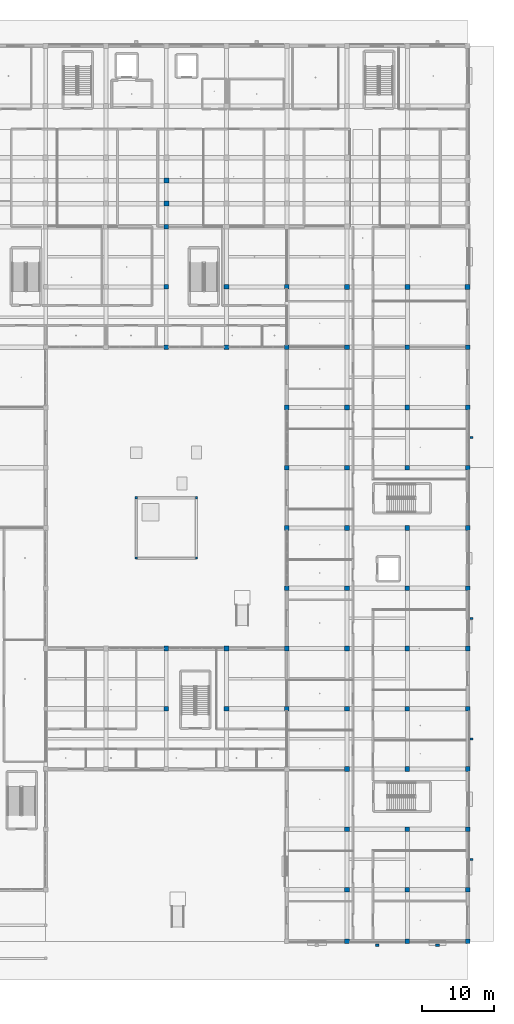
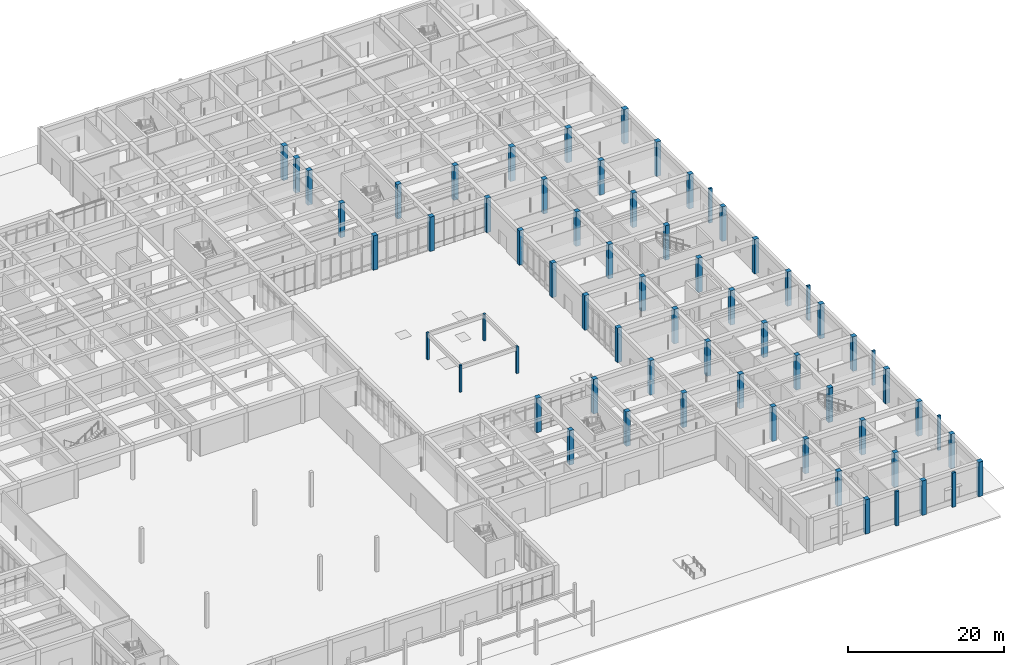
# One storey, part 5 of 167: 65 columns.
"""IFC4 building model written with IfcOpenShell, lengths in metres."""

from ifc_helpers import new_model, si_unit, direction, frame, origin, origin_2d, place, context, subcontext, project, spatial, rectangle, extrude, material, material_profile, profile_set, type_object, element, save


model = new_model("IFC4")

# Units and contexts
model_context = context("Model", 3, precision=1e-05, world=origin(), true_north=direction((0.0, 1.0)))
body_context = subcontext(model_context, "Body", "Model", "MODEL_VIEW")
ifc_project = project(units=[si_unit("LENGTHUNIT", "METRE"), si_unit("AREAUNIT", "SQUARE_METRE"), si_unit("VOLUMEUNIT", "CUBIC_METRE"), si_unit("PLANEANGLEUNIT", "RADIAN"), si_unit("MASSUNIT", "GRAM", prefix="KILO")], contexts=[model_context])

# Site, building, storey
site_placement = place(None, origin())
site = spatial("IfcSite", under=ifc_project, at=site_placement, CompositionType="ELEMENT")
building_placement = place(site_placement, origin())
building = spatial("IfcBuilding", under=site, at=building_placement, Name="Varncliffe General Hospital", CompositionType="ELEMENT")
storey_placement = place(building_placement, origin())
storey = spatial("IfcBuildingStorey", under=building, at=storey_placement, Name="L00", CompositionType="ELEMENT", Elevation=0.0)

# Columns
ifc_material_1 = material(Name="Concrete C40/50 (CSA A23.1 40 MPa)", Category="concrete")
ifc_material_profile_1 = material_profile(ifc_material_1, rectangle(XDim=0.64990234375, YDim=0.64990234375, at=origin_2d()), Name="RC 650x650")
ifc_profile_set_1 = profile_set([ifc_material_profile_1], Name="Concrete C40/50 (CSA A23.1 40 MPa)")
column_type_1 = type_object("IfcColumnType", Name="Column C21 (Ext RC 650x650)", PredefinedType="COLUMN", material=ifc_profile_set_1)
for number, where, z_axis, x_axis, name in (
    (1, (134.39990234375, 40.800048828125, 0.0), (0.0, 0.0, 1.0), (1.0, 0.0, 0.0), "L00 Column C21"),
    (2, (134.39990234375, 82.800048828125, 0.0), (0.0, 0.0, 1.0), (1.0, 0.0, 0.0), "L00 Column C21"),
    (3, (142.800048828125, 40.800048828125, 0.0), (0.0, 0.0, 1.0), (1.0, 0.0, 0.0), "L00 Column C21"),
    (4, (142.800048828125, 82.800048828125, 0.0), (0.0, 0.0, 1.0), (1.0, 0.0, 0.0), "L00 Column C21"),
    (5, (151.199951171875, 40.800048828125, 0.0), (0.0, 0.0, 1.0), (1.0, 0.0, 0.0), "L00 Column C21"),
    (6, (151.199951171875, 49.199951171875, 0.0), (0.0, 0.0, 1.0), (1.0, 0.0, 0.0), "L00 Column C21"),
    (7, (151.199951171875, 57.60009765625, 0.0), (0.0, 0.0, 1.0), (1.0, 0.0, 0.0), "L00 Column C21"),
    (8, (151.199951171875, 66.0, 0.0), (0.0, 0.0, 1.0), (1.0, 0.0, 0.0), "L00 Column C21"),
    (9, (151.199951171875, 74.39990234375, 0.0), (0.0, 0.0, 1.0), (1.0, 0.0, 0.0), "L00 Column C21"),
    (10, (151.199951171875, 82.800048828125, 0.0), (0.0, 0.0, 1.0), (1.0, 0.0, 0.0), "L00 Column C21"),
    (11, (159.60009765625, 0.0, 0.0), (0.0, 0.0, 1.0), (1.0, 0.0, 0.0), "L00 Column C21"),
    (12, (168.0, 0.0, 0.0), (0.0, 0.0, 1.0), (1.0, 0.0, 0.0), "L00 Column C21"),
    (13, (176.39990234375, 0.0, 0.0), (0.0, 0.0, 1.0), (1.0, 0.0, 0.0), "L00 Column C21"),
    (14, (176.39990234375, 7.199951171875, 0.0), (0.0, 0.0, 1.0), (1.0, 0.0, 0.0), "L00 Column C21"),
    (15, (176.39990234375, 15.60009765625, 0.0), (0.0, 0.0, 1.0), (1.0, 0.0, 0.0), "L00 Column C21"),
    (16, (176.39990234375, 24.0, 0.0), (0.0, 0.0, 1.0), (1.0, 0.0, 0.0), "L00 Column C21"),
    (17, (176.39990234375, 32.39990234375, 0.0), (0.0, 0.0, 1.0), (1.0, 0.0, 0.0), "L00 Column C21"),
    (18, (176.39990234375, 40.800048828125, 0.0), (0.0, 0.0, 1.0), (1.0, 0.0, 0.0), "L00 Column C21"),
    (19, (176.39990234375, 49.199951171875, 0.0), (0.0, 0.0, 1.0), (1.0, 0.0, 0.0), "L00 Column C21"),
    (20, (176.39990234375, 57.60009765625, 0.0), (0.0, 0.0, 1.0), (1.0, 0.0, 0.0), "L00 Column C21"),
    (21, (176.39990234375, 66.0, 0.0), (0.0, 0.0, 1.0), (1.0, 0.0, 0.0), "L00 Column C21"),
    (22, (176.39990234375, 74.39990234375, 0.0), (0.0, 0.0, 1.0), (1.0, 0.0, 0.0), "L00 Column C21"),
    (23, (176.39990234375, 82.800048828125, 0.0), (0.0, 0.0, 1.0), (1.0, 0.0, 0.0), "L00 Column C21"),
):
    element("IfcColumn", number, at=place(storey_placement, frame(where, z_axis=z_axis, x_axis=x_axis)), inside=storey, type_object=column_type_1, Name=name, PredefinedType="COLUMN", context=body_context, shape_type="SweptSolid", body=[
        extrude(rectangle(XDim=0.64990234375, YDim=0.64990234375, at=origin_2d()), origin(), (0.0, 0.0, 1.0), 5.39990234375),
    ])
ifc_material_profile_2 = material_profile(ifc_material_1, rectangle(XDim=0.64990234375, YDim=0.64990234375, at=origin_2d()), Name="RC 650x650")
ifc_profile_set_2 = profile_set([ifc_material_profile_2], Name="Concrete C40/50 (CSA A23.1 40 MPa)")
column_type_2 = type_object("IfcColumnType", Name="Column C29 (Int RC 650x650)", PredefinedType="COLUMN", material=ifc_profile_set_2)
for number, where, z_axis, x_axis, name in (
    (24, (134.39990234375, 32.39990234375, 0.0), (0.0, 0.0, 1.0), (1.0, 0.0, 0.0), "L00 Column C29"),
    (25, (134.39990234375, 91.199951171875, 0.0), (0.0, 0.0, 1.0), (1.0, 0.0, 0.0), "L00 Column C29"),
    (26, (134.39990234375, 99.60009765625, 0.0), (0.0, 0.0, 1.0), (1.0, 0.0, 0.0), "L00 Column C29"),
    (27, (142.800048828125, 32.39990234375, 0.0), (0.0, 0.0, 1.0), (1.0, 0.0, 0.0), "L00 Column C29"),
    (28, (142.800048828125, 91.199951171875, 0.0), (0.0, 0.0, 1.0), (1.0, 0.0, 0.0), "L00 Column C29"),
    (29, (151.199951171875, 32.39990234375, 0.0), (0.0, 0.0, 1.0), (1.0, 0.0, 0.0), "L00 Column C29"),
    (30, (151.199951171875, 91.199951171875, 0.0), (0.0, 0.0, 1.0), (1.0, 0.0, 0.0), "L00 Column C29"),
    (31, (159.60009765625, 7.199951171875, 0.0), (0.0, 0.0, 1.0), (1.0, 0.0, 0.0), "L00 Column C29"),
    (32, (159.60009765625, 15.60009765625, 0.0), (0.0, 0.0, 1.0), (1.0, 0.0, 0.0), "L00 Column C29"),
    (33, (159.60009765625, 24.0, 0.0), (0.0, 0.0, 1.0), (1.0, 0.0, 0.0), "L00 Column C29"),
    (34, (159.60009765625, 32.39990234375, 0.0), (0.0, 0.0, 1.0), (1.0, 0.0, 0.0), "L00 Column C29"),
    (35, (159.60009765625, 40.800048828125, 0.0), (0.0, 0.0, 1.0), (1.0, 0.0, 0.0), "L00 Column C29"),
    (36, (159.60009765625, 49.199951171875, 0.0), (0.0, 0.0, 1.0), (1.0, 0.0, 0.0), "L00 Column C29"),
    (37, (159.60009765625, 57.60009765625, 0.0), (0.0, 0.0, 1.0), (1.0, 0.0, 0.0), "L00 Column C29"),
    (38, (159.60009765625, 66.0, 0.0), (0.0, 0.0, 1.0), (1.0, 0.0, 0.0), "L00 Column C29"),
    (39, (159.60009765625, 74.39990234375, 0.0), (0.0, 0.0, 1.0), (1.0, 0.0, 0.0), "L00 Column C29"),
    (40, (159.60009765625, 82.800048828125, 0.0), (0.0, 0.0, 1.0), (1.0, 0.0, 0.0), "L00 Column C29"),
    (41, (168.0, 7.199951171875, 0.0), (0.0, 0.0, 1.0), (1.0, 0.0, 0.0), "L00 Column C29"),
    (42, (168.0, 15.60009765625, 0.0), (0.0, 0.0, 1.0), (1.0, 0.0, 0.0), "L00 Column C29"),
    (43, (168.0, 24.0, 0.0), (0.0, 0.0, 1.0), (1.0, 0.0, 0.0), "L00 Column C29"),
    (44, (168.0, 32.39990234375, 0.0), (0.0, 0.0, 1.0), (1.0, 0.0, 0.0), "L00 Column C29"),
    (45, (168.0, 40.800048828125, 0.0), (0.0, 0.0, 1.0), (1.0, 0.0, 0.0), "L00 Column C29"),
    (46, (168.0, 49.199951171875, 0.0), (0.0, 0.0, 1.0), (1.0, 0.0, 0.0), "L00 Column C29"),
    (47, (168.0, 57.60009765625, 0.0), (0.0, 0.0, 1.0), (1.0, 0.0, 0.0), "L00 Column C29"),
    (48, (168.0, 66.0, 0.0), (0.0, 0.0, 1.0), (1.0, 0.0, 0.0), "L00 Column C29"),
    (49, (168.0, 74.39990234375, 0.0), (0.0, 0.0, 1.0), (1.0, 0.0, 0.0), "L00 Column C29"),
    (50, (168.0, 82.800048828125, 0.0), (0.0, 0.0, 1.0), (1.0, 0.0, 0.0), "L00 Column C29"),
):
    element("IfcColumn", number, at=place(storey_placement, frame(where, z_axis=z_axis, x_axis=x_axis)), inside=storey, type_object=column_type_2, Name=name, PredefinedType="COLUMN", context=body_context, shape_type="SweptSolid", body=[
        extrude(rectangle(XDim=0.64990234375, YDim=0.64990234375, at=origin_2d()), origin(), (0.0, 0.0, 1.0), 5.39990234375),
    ])
ifc_material_2 = material(Name="Glulam GL28h (CSA O86 24f-EX, 30 MPa)", Category="wood")
ifc_material_profile_3 = material_profile(ifc_material_2, rectangle(XDim=0.31494140625, YDim=0.31494140625, at=origin_2d()), Name="GL 315x315")
ifc_profile_set_3 = profile_set([ifc_material_profile_3], Name="Glulam GL28h (CSA O86 24f-EX, 30 MPa)")
column_type_3 = type_object("IfcColumnType", Name="Column C39 (Ext GL 315x315)", PredefinedType="COLUMN", material=ifc_profile_set_3)
for number, where, z_axis, x_axis, name in (
    (51, (130.199951171875, 53.39990234375, 0.0), (0.0, 0.0, 1.0), (1.0, 0.0, 0.0), "L00 Cloister Pergola Glulam Column 5"),
    (52, (138.60009765625, 53.39990234375, 0.0), (0.0, 0.0, 1.0), (1.0, 0.0, 0.0), "L00 Cloister Pergola Glulam Column 6"),
    (53, (130.199951171875, 61.800048828125, 0.0), (0.0, 0.0, 1.0), (1.0, 0.0, 0.0), "L00 Cloister Pergola Glulam Column 7"),
    (54, (138.60009765625, 61.800048828125, 0.0), (0.0, 0.0, 1.0), (1.0, 0.0, 0.0), "L00 Cloister Pergola Glulam Column 8"),
):
    element("IfcColumn", number, at=place(storey_placement, frame(where, z_axis=z_axis, x_axis=x_axis)), inside=storey, type_object=column_type_3, Name=name, PredefinedType="COLUMN", context=body_context, shape_type="SweptSolid", body=[
        extrude(rectangle(XDim=0.31494140625, YDim=0.31494140625, at=origin_2d()), origin(), (0.0, 0.0, 1.0), 4.199951171875),
    ])
ifc_material_profile_4 = material_profile(ifc_material_1, rectangle(XDim=0.699951171875, YDim=0.699951171875, at=origin_2d()), Name="RC 700x700")
ifc_profile_set_4 = profile_set([ifc_material_profile_4], Name="Concrete C40/50 (CSA A23.1 40 MPa)")
column_type_4 = type_object("IfcColumnType", Name="Column C50 (Int RC 700x700)", PredefinedType="COLUMN", material=ifc_profile_set_4)
for number, where, z_axis, x_axis, name in (
    (55, (134.39990234375, 102.800048828125, 0.0), (0.0, 0.0, 1.0), (1.0, 0.0, 0.0), "L00 Column C50"),
    (56, (134.39990234375, 106.0, 0.0), (0.0, 0.0, 1.0), (1.0, 0.0, 0.0), "L00 Column C50"),
    (57, (159.60009765625, 91.199951171875, 0.0), (0.0, 0.0, 1.0), (1.0, 0.0, 0.0), "L00 Column C50"),
    (58, (168.0, 91.199951171875, 0.0), (0.0, 0.0, 1.0), (1.0, 0.0, 0.0), "L00 Column C50"),
):
    element("IfcColumn", number, at=place(storey_placement, frame(where, z_axis=z_axis, x_axis=x_axis)), inside=storey, type_object=column_type_4, Name=name, PredefinedType="COLUMN", context=body_context, shape_type="SweptSolid", body=[
        extrude(rectangle(XDim=0.699951171875, YDim=0.699951171875, at=origin_2d()), origin(), (0.0, 0.0, 1.0), 5.39990234375),
    ])
ifc_material_profile_5 = material_profile(ifc_material_1, rectangle(XDim=0.699951171875, YDim=0.699951171875, at=origin_2d()), Name="RC 700x700")
ifc_profile_set_5 = profile_set([ifc_material_profile_5], Name="Concrete C40/50 (CSA A23.1 40 MPa)")
column_type_5 = type_object("IfcColumnType", Name="Column C54 (Ext RC 700x700)", PredefinedType="COLUMN", material=ifc_profile_set_5)
column_placement = place(storey_placement, frame((176.39990234375, 91.199951171875, 0.0), z_axis=(0.0, 0.0, 1.0), x_axis=(1.0, 0.0, 0.0)))
element("IfcColumn", 59, at=column_placement, inside=storey, type_object=column_type_5, Name="L00 Column C54", PredefinedType="COLUMN", context=body_context, shape_type="SweptSolid", body=[
    extrude(rectangle(XDim=0.699951171875, YDim=0.699951171875, at=origin_2d()), origin(), (0.0, 0.0, 1.0), 5.39990234375),
])
ifc_material_3 = material(Name="Precast concrete C40/50", Category="concrete")
ifc_material_profile_6 = material_profile(ifc_material_3, rectangle(XDim=0.5, YDim=0.320068359375, at=origin_2d()), Name="PIL 500x320")
ifc_profile_set_6 = profile_set([ifc_material_profile_6], Name="Precast concrete C40/50")
column_type_6 = type_object("IfcColumnType", Name="Pilaster PL14 (PIL 500x320)", PredefinedType="PILASTER", material=ifc_profile_set_6)
for number, where, z_axis, x_axis, name in (
    (60, (163.800048828125, -0.550048828125, 0.0), (0.0, 0.0, 1.0), (1.0, 0.0, 0.0), "L00 Facade Pilaster PL14-2"),
    (61, (172.199951171875, -0.550048828125, 0.0), (0.0, 0.0, 1.0), (1.0, 0.0, 0.0), "L00 Facade Pilaster PL14-3"),
):
    element("IfcColumn", number, at=place(storey_placement, frame(where, z_axis=z_axis, x_axis=x_axis)), inside=storey, type_object=column_type_6, Name=name, PredefinedType="PILASTER", context=body_context, shape_type="SweptSolid", body=[
        extrude(rectangle(XDim=0.5, YDim=0.320068359375, at=origin_2d()), origin(), (0.0, 0.0, 1.0), 5.39990234375),
    ])
ifc_material_profile_7 = material_profile(ifc_material_3, rectangle(XDim=0.449951171875, YDim=0.280029296875, at=origin_2d()), Name="PIL 450x280")
ifc_profile_set_7 = profile_set([ifc_material_profile_7], Name="Precast concrete C40/50")
column_type_7 = type_object("IfcColumnType", Name="Pilaster PL64 (PIL 450x280)", PredefinedType="PILASTER", material=ifc_profile_set_7)
for number, where, z_axis, x_axis, name in (
    (62, (176.949951171875, 11.39990234375, 0.0), (0.0, 0.0, 1.0), (1.0, 0.0, 0.0), "L00 Facade Pilaster PL64-8"),
    (63, (176.949951171875, 28.199951171875, 0.0), (0.0, 0.0, 1.0), (1.0, 0.0, 0.0), "L00 Facade Pilaster PL64-9"),
    (64, (176.949951171875, 45.0, 0.0), (0.0, 0.0, 1.0), (1.0, 0.0, 0.0), "L00 Facade Pilaster PL64-10"),
    (65, (176.949951171875, 70.199951171875, 0.0), (0.0, 0.0, 1.0), (1.0, 0.0, 0.0), "L00 Facade Pilaster PL64-11"),
):
    element("IfcColumn", number, at=place(storey_placement, frame(where, z_axis=z_axis, x_axis=x_axis)), inside=storey, type_object=column_type_7, Name=name, PredefinedType="PILASTER", context=body_context, shape_type="SweptSolid", body=[
        extrude(rectangle(XDim=0.449951171875, YDim=0.280029296875, at=origin_2d()), origin(), (0.0, 0.0, 1.0), 5.39990234375),
    ])

save(model, "model.ifc")
